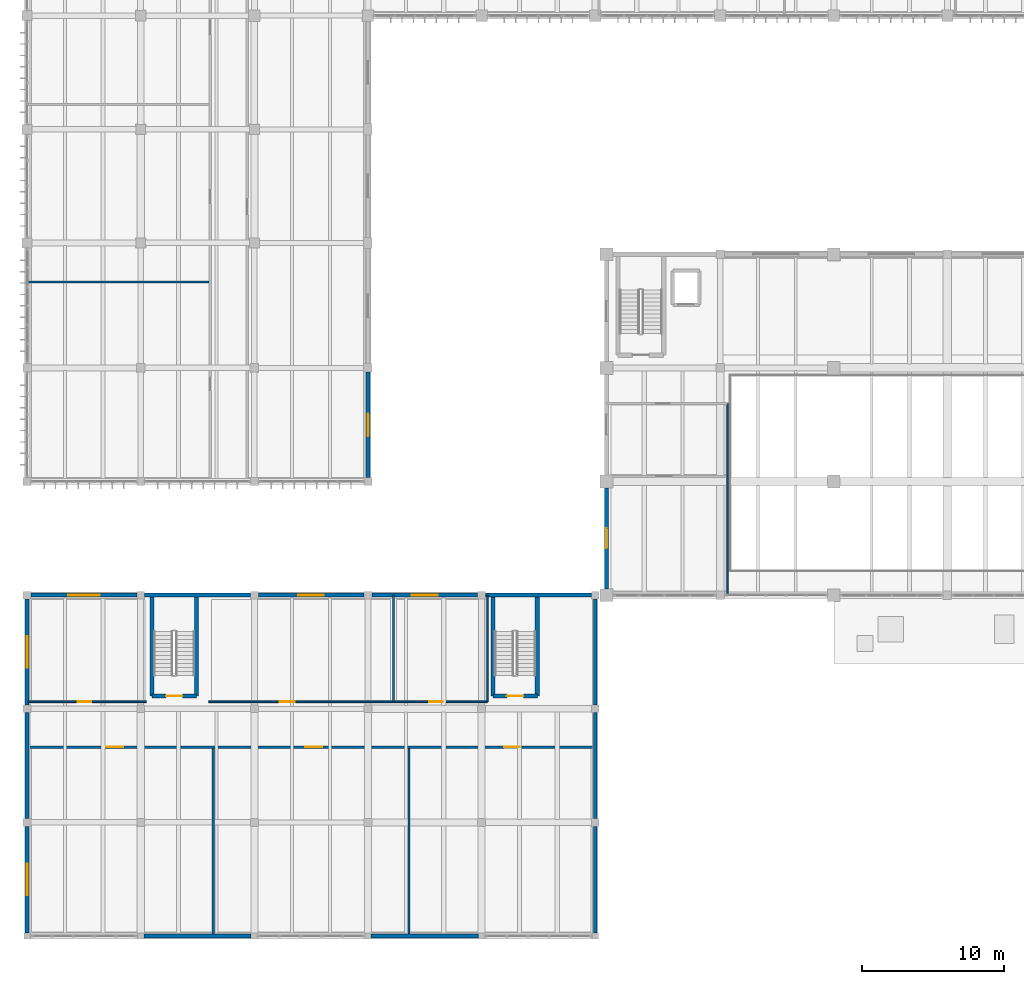
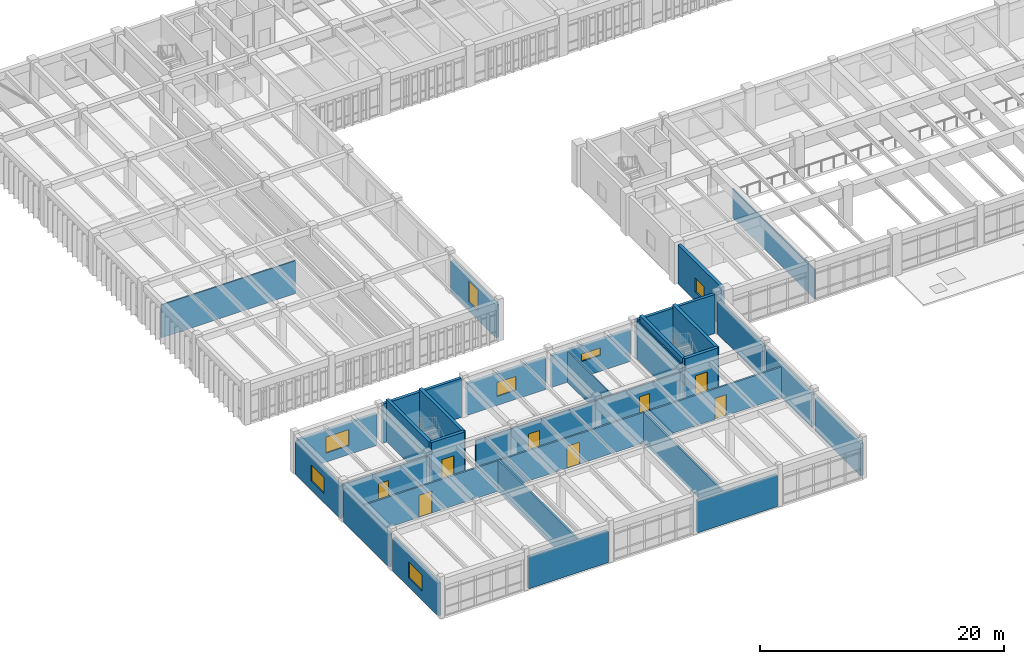
# One storey, part 42 of 67: 30 walls, 8 doors, 7 windows, 15 openings.
"""IFC4 building model written with IfcOpenShell, lengths in metres."""

from ifc_helpers import new_model, si_unit, direction, frame, frame_2d, origin, place, context, subcontext, project, spatial, rectangle, extrude, material, layer, layer_set, type_object, element, fill, save


model = new_model("IFC4")

# Units and contexts
model_context = context("Model", 3, precision=1e-05, world=origin(), true_north=direction((0.0, 1.0)))
body_context = subcontext(model_context, "Body", "Model", "MODEL_VIEW")
ifc_project = project(units=[si_unit("LENGTHUNIT", "METRE"), si_unit("AREAUNIT", "SQUARE_METRE"), si_unit("VOLUMEUNIT", "CUBIC_METRE"), si_unit("PLANEANGLEUNIT", "RADIAN"), si_unit("MASSUNIT", "GRAM", prefix="KILO")], contexts=[model_context])

# Site, building, storey
site_placement = place(None, origin())
site = spatial("IfcSite", under=ifc_project, at=site_placement, CompositionType="ELEMENT")
building_placement = place(site_placement, origin())
building = spatial("IfcBuilding", under=site, at=building_placement, Name="Tlaxcora Railside Police Headquarters", CompositionType="ELEMENT")
storey_placement = place(building_placement, frame((0.0, 0.0, 4.800048828125)))
storey = spatial("IfcBuildingStorey", under=building, at=storey_placement, Name="L01", CompositionType="ELEMENT", Elevation=4.800048828125)

# Wall
ifc_material_1 = material(Name="Gypsum acoustic partition board")
ifc_layer_1 = layer(ifc_material_1, 0.10791015625, Name="Gypsum acoustic partition board")
ifc_layer_set_1 = layer_set([ifc_layer_1], Name="Gypsum acoustic partition board")
wall_type_1 = type_object("IfcWallType", Name="Interior Partition Wall IW-19", PredefinedType="PARTITIONING", material=ifc_layer_set_1)
wall_1_placement = place(storey_placement, frame((37.60009765625, 28.5, 0.0), z_axis=(0.0, 0.0, 1.0), x_axis=(0.0, 1.0, 0.0)))
element("IfcWall", 1, at=wall_1_placement, inside=storey, type_object=wall_type_1, Name="V4 L01 interior partition 80", PredefinedType="PARTITIONING", context=body_context, shape_type="SweptSolid", body=[
    extrude(rectangle(XDim=7.5, YDim=0.10791015625, at=frame_2d((3.75, 0.0))), origin(), (0.0, 0.0, 1.0), 3.909912109375),
])

# Wall, openings, doors
ifc_layer_2 = layer(ifc_material_1, 0.1201171875, Name="Gypsum acoustic partition board")
ifc_layer_set_2 = layer_set([ifc_layer_2], Name="Gypsum acoustic partition board")
wall_type_2 = type_object("IfcWallType", Name="Interior Partition Wall IW-37", PredefinedType="PARTITIONING", material=ifc_layer_set_2)
wall_2_placement = place(storey_placement, frame((18.0, 28.5, 0.0), z_axis=(0.0, 0.0, 1.0), x_axis=(1.0, 0.0, 0.0)))
wall_2 = element("IfcWall", 2, at=wall_2_placement, inside=storey, type_object=wall_type_2, Name="V4 L01 interior partition 78", PredefinedType="PARTITIONING", context=body_context, shape_type="SweptSolid", body=[
    extrude(rectangle(XDim=19.60009765625, YDim=0.1201171875, at=frame_2d((9.800048828125, 0.0))), origin(), (0.0, 0.0, 1.0), 3.195068359375),
])
opening_1_placement = place(wall_2_placement, frame((5.0, 0.0, 0.0)))
opening_1 = element("IfcOpeningElement", 3, at=opening_1_placement, cuts=wall_2, Name="Opening D-L01-124", PredefinedType="OPENING", context=body_context, shape_type="SweptSolid", body=[
    extrude(rectangle(XDim=1.050048828125, YDim=2.10009765625, at=frame_2d((0.52490234375, 1.050048828125))), frame((0.0, 0.070068359375, 0.0), z_axis=(0.0, -1.0, 0.0), x_axis=(1.0, 0.0, 0.0)), (0.0, 0.0, 1.0), 0.14013671875),
])
opening_2_placement = place(wall_2_placement, frame((15.5, 0.0, 0.0)))
opening_2 = element("IfcOpeningElement", 4, at=opening_2_placement, cuts=wall_2, Name="Opening D-L01-125", PredefinedType="OPENING", context=body_context, shape_type="SweptSolid", body=[
    extrude(rectangle(XDim=0.949951171875, YDim=2.14990234375, at=frame_2d((0.47509765625, 1.074951171875))), frame((0.0, 0.070068359375, 0.0), z_axis=(0.0, -1.0, 0.0), x_axis=(1.0, 0.0, 0.0)), (0.0, 0.0, 1.0), 0.14013671875),
])
ifc_material_2 = material(Name="Steel ASTM A992 Grade 50", Category="steel")
door_type_1 = type_object("IfcDoorType", Name="Swing or Sliding Personnel Door ID-31", OperationType="NOTDEFINED", PredefinedType="DOOR", material=ifc_material_2)
door_1_placement = place(opening_2_placement, origin())
door_1 = element("IfcDoor", 5, at=door_1_placement, inside=storey, type_object=door_type_1, Name="V4 L01 door D-L01-125", OperationType="SINGLE_SWING_RIGHT", OverallHeight=2.14990234375, OverallWidth=0.949951171875, PredefinedType="DOOR", context=body_context, shape_type="SweptSolid", body=[
    extrude(rectangle(XDim=0.949951171875, YDim=2.14990234375, at=frame_2d((0.47509765625, 1.074951171875))), frame((0.0, 0.02490234375, 0.0), z_axis=(0.0, -1.0, 0.0), x_axis=(1.0, 0.0, 0.0)), (0.0, 0.0, 1.0), 0.050048828125),
])
fill(opening_2, door_1)
door_type_2 = type_object("IfcDoorType", Name="Swing or Sliding Personnel Door ID-52", OperationType="NOTDEFINED", PredefinedType="DOOR", material=ifc_material_2)
door_2_placement = place(opening_1_placement, origin())
door_2 = element("IfcDoor", 6, at=door_2_placement, inside=storey, type_object=door_type_2, Name="V4 L01 door D-L01-124", OperationType="SINGLE_SWING_LEFT", OverallHeight=2.10009765625, OverallWidth=1.050048828125, PredefinedType="DOOR", context=body_context, shape_type="SweptSolid", body=[
    extrude(rectangle(XDim=1.050048828125, YDim=2.10009765625, at=frame_2d((0.52490234375, 1.050048828125))), frame((0.0, 0.02490234375, 0.0), z_axis=(0.0, -1.0, 0.0), x_axis=(1.0, 0.0, 0.0)), (0.0, 0.0, 1.0), 0.050048828125),
])
fill(opening_1, door_2)

# Wall
wall_3_placement = place(storey_placement, frame((5.280029296875, 58.050048828125, 0.0), z_axis=(0.0, 0.0, 1.0), x_axis=(1.0, 0.0, 0.0)))
element("IfcWall", 7, at=wall_3_placement, inside=storey, type_object=wall_type_2, Name="V5 L01 interior partition 114", PredefinedType="PARTITIONING", context=body_context, shape_type="SweptSolid", body=[
    extrude(rectangle(XDim=12.719970703125, YDim=0.1201171875, at=frame_2d((6.35986328125, 0.0))), origin(), (0.0, 0.0, 1.0), 3.294921875),
])

# Wall, opening, door
ifc_layer_3 = layer(ifc_material_1, 0.1298828125, Name="Gypsum acoustic partition board")
ifc_layer_set_3 = layer_set([ifc_layer_3], Name="Gypsum acoustic partition board")
wall_type_3 = type_object("IfcWallType", Name="Interior Partition Wall IW-40", PredefinedType="PARTITIONING", material=ifc_layer_set_3)
wall_4_placement = place(storey_placement, frame((5.280029296875, 28.5, 0.0), z_axis=(0.0, 0.0, 1.0), x_axis=(1.0, 0.0, 0.0)))
wall_4 = element("IfcWall", 8, at=wall_4_placement, inside=storey, type_object=wall_type_3, Name="V4 L01 interior partition 77", PredefinedType="PARTITIONING", context=body_context, shape_type="SweptSolid", body=[
    extrude(rectangle(XDim=8.320068359375, YDim=0.1298828125, at=frame_2d((4.16015625, 0.0))), origin(), (0.0, 0.0, 1.0), 3.195068359375),
])
opening_3_placement = place(wall_4_placement, frame((3.5, 0.0, 0.0)))
opening_3 = element("IfcOpeningElement", 9, at=opening_3_placement, cuts=wall_4, Name="Opening D-L01-123", PredefinedType="OPENING", context=body_context, shape_type="SweptSolid", body=[
    extrude(rectangle(XDim=0.949951171875, YDim=2.10009765625, at=frame_2d((0.47509765625, 1.050048828125))), frame((0.0, 0.074951171875, 0.0), z_axis=(0.0, -1.0, 0.0), x_axis=(1.0, 0.0, 0.0)), (0.0, 0.0, 1.0), 0.14990234375),
])
door_type_3 = type_object("IfcDoorType", Name="Swing or Sliding Personnel Door ID-87", OperationType="NOTDEFINED", PredefinedType="DOOR", material=ifc_material_2)
door_3_placement = place(opening_3_placement, origin())
door_3 = element("IfcDoor", 10, at=door_3_placement, inside=storey, type_object=door_type_3, Name="V4 L01 door D-L01-123", OperationType="SINGLE_SWING_RIGHT", OverallHeight=2.10009765625, OverallWidth=0.949951171875, PredefinedType="DOOR", context=body_context, shape_type="SweptSolid", body=[
    extrude(rectangle(XDim=0.949951171875, YDim=2.10009765625, at=frame_2d((0.47509765625, 1.050048828125))), frame((0.0, 0.02490234375, 0.0), z_axis=(0.0, -1.0, 0.0), x_axis=(1.0, 0.0, 0.0)), (0.0, 0.0, 1.0), 0.050048828125),
])
fill(opening_3, door_3)

# Walls
ifc_layer_4 = layer(ifc_material_1, 0.10009765625, Name="Gypsum acoustic partition board")
ifc_layer_set_4 = layer_set([ifc_layer_4], Name="Gypsum acoustic partition board")
wall_type_4 = type_object("IfcWallType", Name="Interior Partition Wall IW-45", PredefinedType="PARTITIONING", material=ifc_layer_set_4)
wall_5_placement = place(storey_placement, frame((54.5, 36.0, 0.0), z_axis=(0.0, 0.0, 1.0), x_axis=(0.0, 1.0, 0.0)))
element("IfcWall", 11, at=wall_5_placement, inside=storey, type_object=wall_type_4, Name="V1 L01 interior partition 81", PredefinedType="PARTITIONING", context=body_context, shape_type="SweptSolid", body=[
    extrude(rectangle(XDim=13.5, YDim=0.10009765625, at=frame_2d((6.75, 0.0))), origin(), (0.0, 0.0, 1.0), 2.945068359375),
])
ifc_layer_5 = layer(ifc_material_1, 0.159912109375, Name="Gypsum acoustic partition board")
ifc_layer_set_5 = layer_set([ifc_layer_5], Name="Gypsum acoustic partition board")
wall_type_5 = type_object("IfcWallType", Name="Interior Partition Wall IW-73", PredefinedType="PARTITIONING", material=ifc_layer_set_5)
wall_6_placement = place(storey_placement, frame((18.304931640625, 12.080078125, 0.0), z_axis=(0.0, 0.0, 1.0), x_axis=(0.0, 1.0, 0.0)))
element("IfcWall", 12, at=wall_6_placement, inside=storey, type_object=wall_type_5, Name="V4 L01 interior partition 74", PredefinedType="PARTITIONING", context=body_context, shape_type="SweptSolid", body=[
    extrude(rectangle(XDim=13.119873046875, YDim=0.159912109375, at=frame_2d((6.56005859375, 0.0))), origin(), (0.0, 0.0, 1.0), 3.14501953125),
])
wall_7_placement = place(storey_placement, frame((32.094970703125, 12.080078125, 0.0), z_axis=(0.0, 0.0, 1.0), x_axis=(0.0, 1.0, 0.0)))
element("IfcWall", 13, at=wall_7_placement, inside=storey, type_object=wall_type_5, Name="V4 L01 interior partition 75", PredefinedType="PARTITIONING", context=body_context, shape_type="SweptSolid", body=[
    extrude(rectangle(XDim=13.119873046875, YDim=0.159912109375, at=frame_2d((6.56005859375, 0.0))), origin(), (0.0, 0.0, 1.0), 3.044921875),
])

# Wall, openings, doors
wall_8_placement = place(storey_placement, frame((5.280029296875, 25.300048828125, 0.0), z_axis=(0.0, 0.0, 1.0), x_axis=(1.0, 0.0, 0.0)))
wall_8 = element("IfcWall", 14, at=wall_8_placement, inside=storey, type_object=wall_type_5, Name="V4 L01 interior partition 76", PredefinedType="PARTITIONING", context=body_context, shape_type="SweptSolid", body=[
    extrude(rectangle(XDim=39.840087890625, YDim=0.159912109375, at=frame_2d((19.919921875, 0.0))), origin(), (0.0, 0.0, 1.0), 3.044921875),
])
opening_4_placement = place(wall_8_placement, frame((5.5, 0.0, 0.0)))
opening_4 = element("IfcOpeningElement", 15, at=opening_4_placement, cuts=wall_8, Name="Opening D-L01-120", PredefinedType="OPENING", context=body_context, shape_type="SweptSolid", body=[
    extrude(rectangle(XDim=1.199951171875, YDim=2.199951171875, at=frame_2d((0.60009765625, 1.10009765625))), frame((0.0, 0.08984375, 0.0), z_axis=(0.0, -1.0, 0.0), x_axis=(1.0, 0.0, 0.0)), (0.0, 0.0, 1.0), 0.179931640625),
])
opening_5_placement = place(wall_8_placement, frame((19.5, 0.0, 0.0)))
opening_5 = element("IfcOpeningElement", 16, at=opening_5_placement, cuts=wall_8, Name="Opening D-L01-121", PredefinedType="OPENING", context=body_context, shape_type="SweptSolid", body=[
    extrude(rectangle(XDim=1.199951171875, YDim=2.199951171875, at=frame_2d((0.60009765625, 1.10009765625))), frame((0.0, 0.08984375, 0.0), z_axis=(0.0, -1.0, 0.0), x_axis=(1.0, 0.0, 0.0)), (0.0, 0.0, 1.0), 0.179931640625),
])
opening_6_placement = place(wall_8_placement, frame((33.5, 0.0, 0.0)))
opening_6 = element("IfcOpeningElement", 17, at=opening_6_placement, cuts=wall_8, Name="Opening D-L01-122", PredefinedType="OPENING", context=body_context, shape_type="SweptSolid", body=[
    extrude(rectangle(XDim=1.10009765625, YDim=2.10009765625, at=frame_2d((0.550048828125, 1.050048828125))), frame((0.0, 0.08984375, 0.0), z_axis=(0.0, -1.0, 0.0), x_axis=(1.0, 0.0, 0.0)), (0.0, 0.0, 1.0), 0.179931640625),
])
door_type_4 = type_object("IfcDoorType", Name="Swing or Sliding Personnel Door ID-65", OperationType="NOTDEFINED", PredefinedType="DOOR", material=ifc_material_2)
door_4_placement = place(opening_4_placement, origin())
door_4 = element("IfcDoor", 18, at=door_4_placement, inside=storey, type_object=door_type_4, Name="V4 L01 door D-L01-120", OperationType="DOUBLE_DOOR_SINGLE_SWING", OverallHeight=2.199951171875, OverallWidth=1.199951171875, PredefinedType="DOOR", context=body_context, shape_type="SweptSolid", body=[
    extrude(rectangle(XDim=1.199951171875, YDim=2.199951171875, at=frame_2d((0.60009765625, 1.10009765625))), frame((0.0, 0.02490234375, 0.0), z_axis=(0.0, -1.0, 0.0), x_axis=(1.0, 0.0, 0.0)), (0.0, 0.0, 1.0), 0.050048828125),
])
fill(opening_4, door_4)
door_5_placement = place(opening_5_placement, origin())
door_5 = element("IfcDoor", 19, at=door_5_placement, inside=storey, type_object=door_type_4, Name="V4 L01 door D-L01-121", OperationType="DOUBLE_DOOR_SINGLE_SWING", OverallHeight=2.199951171875, OverallWidth=1.199951171875, PredefinedType="DOOR", context=body_context, shape_type="SweptSolid", body=[
    extrude(rectangle(XDim=1.199951171875, YDim=2.199951171875, at=frame_2d((0.60009765625, 1.10009765625))), frame((0.0, 0.02490234375, 0.0), z_axis=(0.0, -1.0, 0.0), x_axis=(1.0, 0.0, 0.0)), (0.0, 0.0, 1.0), 0.050048828125),
])
fill(opening_5, door_5)
door_type_5 = type_object("IfcDoorType", Name="Swing or Sliding Personnel Door ID-66", OperationType="NOTDEFINED", PredefinedType="DOOR", material=ifc_material_2)
door_6_placement = place(opening_6_placement, origin())
door_6 = element("IfcDoor", 20, at=door_6_placement, inside=storey, type_object=door_type_5, Name="V4 L01 door D-L01-122", OperationType="SINGLE_SWING_LEFT", OverallHeight=2.10009765625, OverallWidth=1.10009765625, PredefinedType="DOOR", context=body_context, shape_type="SweptSolid", body=[
    extrude(rectangle(XDim=1.10009765625, YDim=2.10009765625, at=frame_2d((0.550048828125, 1.050048828125))), frame((0.0, 0.02490234375, 0.0), z_axis=(0.0, -1.0, 0.0), x_axis=(1.0, 0.0, 0.0)), (0.0, 0.0, 1.0), 0.050048828125),
])
fill(opening_6, door_6)

# Wall
ifc_layer_6 = layer(ifc_material_1, 0.114990234375, Name="Gypsum acoustic partition board")
ifc_layer_set_6 = layer_set([ifc_layer_6], Name="Gypsum acoustic partition board")
wall_type_6 = type_object("IfcWallType", Name="Interior Partition Wall IW-87", PredefinedType="PARTITIONING", material=ifc_layer_set_6)
wall_9_placement = place(storey_placement, frame((31.0, 28.5, 0.0), z_axis=(0.0, 0.0, 1.0), x_axis=(0.0, 1.0, 0.0)))
element("IfcWall", 21, at=wall_9_placement, inside=storey, type_object=wall_type_6, Name="V4 L01 interior partition 79", PredefinedType="PARTITIONING", context=body_context, shape_type="SweptSolid", body=[
    extrude(rectangle(XDim=7.5, YDim=0.114990234375, at=frame_2d((3.75, 0.0))), origin(), (0.0, 0.0, 1.0), 3.14501953125),
])

# Wall, opening, door
ifc_material_3 = material(Name="Concrete C40/50", Category="concrete")
ifc_layer_7 = layer(ifc_material_3, 0.300048828125, Name="Concrete C40/50")
ifc_layer_set_7 = layer_set([ifc_layer_7], Name="Concrete C40/50")
wall_type_7 = type_object("IfcWallType", Name="Shear Core Wall IW-28", PredefinedType="SHEAR", material=ifc_layer_set_7)
wall_10_placement = place(storey_placement, frame((14.0, 28.89990234375, 0.0), z_axis=(0.0, 0.0, 1.0), x_axis=(1.0, 0.0, 0.0)))
wall_10 = element("IfcWall", 22, at=wall_10_placement, inside=storey, type_object=wall_type_7, Name="CORE-C6 L01 stair core wall S", PredefinedType="SHEAR", context=body_context, shape_type="SweptSolid", body=[
    extrude(rectangle(XDim=3.1201171875, YDim=0.300048828125, at=frame_2d((1.56005859375, 0.0))), origin(), (0.0, 0.0, 1.0), 4.199951171875),
])
opening_7_placement = place(wall_10_placement, frame((0.985107421875, 0.0, 0.0)))
opening_7 = element("IfcOpeningElement", 23, at=opening_7_placement, cuts=wall_10, Name="Opening SD-L01-042", PredefinedType="OPENING", context=body_context, shape_type="SweptSolid", body=[
    extrude(rectangle(XDim=1.14990234375, YDim=2.14990234375, at=frame_2d((0.574951171875, 1.074951171875))), frame((0.0, 0.16015625, 0.0), z_axis=(0.0, -1.0, 0.0), x_axis=(1.0, 0.0, 0.0)), (0.0, 0.0, 1.0), 0.320068359375),
])
door_type_6 = type_object("IfcDoorType", Name="Swing or Sliding Personnel Door ID-73", OperationType="NOTDEFINED", PredefinedType="DOOR", material=ifc_material_2)
door_7_placement = place(opening_7_placement, origin())
door_7 = element("IfcDoor", 24, at=door_7_placement, inside=storey, type_object=door_type_6, Name="Stair ST6 L01 enclosure fire door", OperationType="SINGLE_SWING_RIGHT", OverallHeight=2.14990234375, OverallWidth=1.14990234375, PredefinedType="DOOR", context=body_context, shape_type="SweptSolid", body=[
    extrude(rectangle(XDim=1.14990234375, YDim=2.14990234375, at=frame_2d((0.574951171875, 1.074951171875))), frame((0.0, 0.02490234375, 0.0), z_axis=(0.0, -1.0, 0.0), x_axis=(1.0, 0.0, 0.0)), (0.0, 0.0, 1.0), 0.050048828125),
])
fill(opening_7, door_7)

# Walls
for number, where, z_axis, x_axis, name in (
    (25, (17.1201171875, 28.89990234375, 0.0), (0.0, 0.0, 1.0), (0.0, 1.0, 0.0), "CORE-C6 L01 stair core wall E"),
    (26, (14.0, 36.0, 0.0), (0.0, 0.0, 1.0), (0.0, -1.0, 0.0), "CORE-C6 L01 stair core wall W"),
):
    element("IfcWall", number, at=place(storey_placement, frame(where, z_axis=z_axis, x_axis=x_axis)), inside=storey, type_object=wall_type_7, Name=name, PredefinedType="SHEAR", context=body_context, shape_type="SweptSolid", body=[
        extrude(rectangle(XDim=7.10009765625, YDim=0.300048828125, at=frame_2d((3.550048828125, 0.0))), origin(), (0.0, 0.0, 1.0), 4.199951171875),
    ])

# Wall, opening, door
wall_11_placement = place(storey_placement, frame((38.0, 28.89990234375, 0.0), z_axis=(0.0, 0.0, 1.0), x_axis=(1.0, 0.0, 0.0)))
wall_11 = element("IfcWall", 27, at=wall_11_placement, inside=storey, type_object=wall_type_7, Name="CORE-C6B L01 stair core wall S", PredefinedType="SHEAR", context=body_context, shape_type="SweptSolid", body=[
    extrude(rectangle(XDim=3.1201171875, YDim=0.300048828125, at=frame_2d((1.56005859375, 0.0))), origin(), (0.0, 0.0, 1.0), 4.199951171875),
])
opening_8_placement = place(wall_11_placement, frame((0.985107421875, 0.0, 0.0)))
opening_8 = element("IfcOpeningElement", 28, at=opening_8_placement, cuts=wall_11, Name="Opening SD-L01-045", PredefinedType="OPENING", context=body_context, shape_type="SweptSolid", body=[
    extrude(rectangle(XDim=1.14990234375, YDim=2.14990234375, at=frame_2d((0.574951171875, 1.074951171875))), frame((0.0, 0.16015625, 0.0), z_axis=(0.0, -1.0, 0.0), x_axis=(1.0, 0.0, 0.0)), (0.0, 0.0, 1.0), 0.320068359375),
])
door_8_placement = place(opening_8_placement, origin())
door_8 = element("IfcDoor", 29, at=door_8_placement, inside=storey, type_object=door_type_6, Name="Stair ST10 L01 enclosure fire door", OperationType="SINGLE_SWING_LEFT", OverallHeight=2.14990234375, OverallWidth=1.14990234375, PredefinedType="DOOR", context=body_context, shape_type="SweptSolid", body=[
    extrude(rectangle(XDim=1.14990234375, YDim=2.14990234375, at=frame_2d((0.574951171875, 1.074951171875))), frame((0.0, 0.02490234375, 0.0), z_axis=(0.0, -1.0, 0.0), x_axis=(1.0, 0.0, 0.0)), (0.0, 0.0, 1.0), 0.050048828125),
])
fill(opening_8, door_8)

# Walls
for number, where, z_axis, x_axis, name in (
    (30, (41.1201171875, 28.89990234375, 0.0), (0.0, 0.0, 1.0), (0.0, 1.0, 0.0), "CORE-C6B L01 stair core wall E"),
    (31, (38.0, 36.0, 0.0), (0.0, 0.0, 1.0), (0.0, -1.0, 0.0), "CORE-C6B L01 stair core wall W"),
):
    element("IfcWall", number, at=place(storey_placement, frame(where, z_axis=z_axis, x_axis=x_axis)), inside=storey, type_object=wall_type_7, Name=name, PredefinedType="SHEAR", context=body_context, shape_type="SweptSolid", body=[
        extrude(rectangle(XDim=7.10009765625, YDim=0.300048828125, at=frame_2d((3.550048828125, 0.0))), origin(), (0.0, 0.0, 1.0), 4.199951171875),
    ])

# Wall, opening, window
ifc_material_4 = material(Name="Pressed clay brick masonry", Category="masonry")
ifc_layer_8 = layer(ifc_material_4, 0.294921875, Name="Pressed clay brick masonry")
ifc_layer_set_8 = layer_set([ifc_layer_8], Name="Pressed clay brick masonry")
wall_type_8 = type_object("IfcWallType", Name="Structural Bearing Wall EW-74", PredefinedType="SOLIDWALL", material=ifc_layer_set_8)
wall_12_placement = place(storey_placement, frame((46.0, 43.550048828125, 0.0), z_axis=(0.0, 0.0, 1.0), x_axis=(0.0, -1.0, 0.0)))
wall_12 = element("IfcWall", 32, at=wall_12_placement, inside=storey, type_object=wall_type_8, Name="V1 L01 exterior wall 3.2", PredefinedType="SOLIDWALL", context=body_context, shape_type="SweptSolid", body=[
    extrude(rectangle(XDim=7.10009765625, YDim=0.294921875, at=frame_2d((3.550048828125, 0.0))), origin(), (0.0, 0.0, 1.0), 3.909912109375),
])
opening_9_placement = place(wall_12_placement, frame((2.85009765625, 0.0, 0.89990234375)))
opening_9 = element("IfcOpeningElement", 33, at=opening_9_placement, cuts=wall_12, Name="Opening WN-22", PredefinedType="OPENING", context=body_context, shape_type="SweptSolid", body=[
    extrude(rectangle(XDim=1.39990234375, YDim=1.39990234375, at=frame_2d((0.699951171875, 0.699951171875))), frame((0.0, 0.157470703125, 0.0), z_axis=(0.0, -1.0, 0.0), x_axis=(1.0, 0.0, 0.0)), (0.0, 0.0, 1.0), 0.31494140625),
])
ifc_material_5 = material(Name="Thermally broken low-E insulated glazing", Category="glass")
window_type_1 = type_object("IfcWindowType", Name="Exterior Framed or Circular Window WN-22", PartitioningType="SINGLE_PANEL", PredefinedType="WINDOW", material=ifc_material_5)
window_1_placement = place(opening_9_placement, origin())
window_1 = element("IfcWindow", 34, at=window_1_placement, inside=storey, type_object=window_type_1, Name="V1 L01 window 36", OverallHeight=1.39990234375, OverallWidth=1.39990234375, PartitioningType="SINGLE_PANEL", PredefinedType="WINDOW", context=body_context, shape_type="SweptSolid", body=[
    extrude(rectangle(XDim=1.39990234375, YDim=1.39990234375, at=frame_2d((0.699951171875, 0.699951171875))), frame((0.0, 0.030029296875, 0.0), z_axis=(0.0, -1.0, 0.0), x_axis=(1.0, 0.0, 0.0)), (0.0, 0.0, 1.0), 0.06005859375),
])
fill(opening_9, window_1)

wall_13_placement = place(storey_placement, frame((29.199951171875, 44.27490234375, 0.0), z_axis=(0.0, 0.0, 1.0), x_axis=(0.0, 1.0, 0.0)))
wall_13 = element("IfcWall", 35, at=wall_13_placement, inside=storey, type_object=wall_type_8, Name="V5 L01 exterior wall 1.0", PredefinedType="SOLIDWALL", context=body_context, shape_type="SweptSolid", body=[
    extrude(rectangle(XDim=7.425048828125, YDim=0.294921875, at=frame_2d((3.71240234375, 0.0))), origin(), (0.0, 0.0, 1.0), 3.260009765625),
])
opening_10_placement = place(wall_13_placement, frame((2.91259765625, 0.0, 0.89990234375)))
opening_10 = element("IfcOpeningElement", 36, at=opening_10_placement, cuts=wall_13, Name="Opening WN-54", PredefinedType="OPENING", context=body_context, shape_type="SweptSolid", body=[
    extrude(rectangle(XDim=1.60009765625, YDim=2.10009765625, at=frame_2d((0.800048828125, 1.050048828125))), frame((0.0, 0.157470703125, 0.0), z_axis=(0.0, -1.0, 0.0), x_axis=(1.0, 0.0, 0.0)), (0.0, 0.0, 1.0), 0.31494140625),
])
window_type_2 = type_object("IfcWindowType", Name="Exterior Framed or Circular Window WN-54", PartitioningType="SINGLE_PANEL", PredefinedType="WINDOW", material=ifc_material_5)
window_2_placement = place(opening_10_placement, origin())
window_2 = element("IfcWindow", 37, at=window_2_placement, inside=storey, type_object=window_type_2, Name="V5 L01 window 114", OverallHeight=2.10009765625, OverallWidth=1.60009765625, PartitioningType="SINGLE_PANEL", PredefinedType="WINDOW", context=body_context, shape_type="SweptSolid", body=[
    extrude(rectangle(XDim=1.60009765625, YDim=2.10009765625, at=frame_2d((0.800048828125, 1.050048828125))), frame((0.0, 0.030029296875, 0.0), z_axis=(0.0, -1.0, 0.0), x_axis=(1.0, 0.0, 0.0)), (0.0, 0.0, 1.0), 0.06005859375),
])
fill(opening_10, window_2)

# Walls
ifc_layer_9 = layer(ifc_material_4, 0.27490234375, Name="Pressed clay brick masonry")
ifc_layer_set_9 = layer_set([ifc_layer_9], Name="Pressed clay brick masonry")
wall_type_9 = type_object("IfcWallType", Name="Structural Bearing Wall EW-84", PredefinedType="SOLIDWALL", material=ifc_layer_set_9)
for number, where, z_axis, x_axis, name in (
    (38, (13.425048828125, 12.0, 0.0), (0.0, 0.0, 1.0), (1.0, 0.0, 0.0), "V4 L01 exterior wall 0.1"),
    (39, (29.425048828125, 12.0, 0.0), (0.0, 0.0, 1.0), (1.0, 0.0, 0.0), "V4 L01 exterior wall 0.3"),
):
    element("IfcWall", number, at=place(storey_placement, frame(where, z_axis=z_axis, x_axis=x_axis)), inside=storey, type_object=wall_type_9, Name=name, PredefinedType="SOLIDWALL", context=body_context, shape_type="SweptSolid", body=[
        extrude(rectangle(XDim=7.550048828125, YDim=0.27490234375, at=frame_2d((3.77490234375, 0.0))), origin(), (0.0, 0.0, 1.0), 3.159912109375),
    ])
wall_14_placement = place(storey_placement, frame((45.199951171875, 12.22509765625, 0.0), z_axis=(0.0, 0.0, 1.0), x_axis=(0.0, 1.0, 0.0)))
element("IfcWall", 40, at=wall_14_placement, inside=storey, type_object=wall_type_9, Name="V4 L01 exterior wall 1.0", PredefinedType="SOLIDWALL", context=body_context, shape_type="SweptSolid", body=[
    extrude(rectangle(XDim=7.5, YDim=0.27490234375, at=frame_2d((3.75, 0.0))), origin(), (0.0, 0.0, 1.0), 3.260009765625),
])
for number, where, z_axis, x_axis, name in (
    (41, (45.199951171875, 20.27490234375, 0.0), (0.0, 0.0, 1.0), (0.0, 1.0, 0.0), "V4 L01 exterior wall 1.1"),
    (42, (45.199951171875, 28.27490234375, 0.0), (0.0, 0.0, 1.0), (0.0, 1.0, 0.0), "V4 L01 exterior wall 1.2"),
):
    element("IfcWall", number, at=place(storey_placement, frame(where, z_axis=z_axis, x_axis=x_axis)), inside=storey, type_object=wall_type_9, Name=name, PredefinedType="SOLIDWALL", context=body_context, shape_type="SweptSolid", body=[
        extrude(rectangle(XDim=7.4501953125, YDim=0.27490234375, at=frame_2d((3.72509765625, 0.0))), origin(), (0.0, 0.0, 1.0), 3.260009765625),
    ])
wall_15_placement = place(storey_placement, frame((44.925048828125, 36.0, 0.0), z_axis=(0.0, 0.0, 1.0), x_axis=(-1.0, 0.0, 0.0)))
element("IfcWall", 43, at=wall_15_placement, inside=storey, type_object=wall_type_9, Name="V4 L01 exterior wall 2.0", PredefinedType="SOLIDWALL", context=body_context, shape_type="SweptSolid", body=[
    extrude(rectangle(XDim=7.449951171875, YDim=0.27490234375, at=frame_2d((3.72509765625, 0.0))), origin(), (0.0, 0.0, 1.0), 3.909912109375),
])

# Wall, opening, window
wall_16_placement = place(storey_placement, frame((36.925048828125, 36.0, 0.0), z_axis=(0.0, 0.0, 1.0), x_axis=(-1.0, 0.0, 0.0)))
wall_16 = element("IfcWall", 44, at=wall_16_placement, inside=storey, type_object=wall_type_9, Name="V4 L01 exterior wall 2.1", PredefinedType="SOLIDWALL", context=body_context, shape_type="SweptSolid", body=[
    extrude(rectangle(XDim=7.449951171875, YDim=0.27490234375, at=frame_2d((3.72509765625, 0.0))), origin(), (0.0, 0.0, 1.0), 3.159912109375),
])
opening_11_placement = place(wall_16_placement, frame((2.824951171875, 0.0, 1.60009765625)))
opening_11 = element("IfcOpeningElement", 45, at=opening_11_placement, cuts=wall_16, Name="Opening WN-40", PredefinedType="OPENING", context=body_context, shape_type="SweptSolid", body=[
    extrude(rectangle(XDim=1.800048828125, YDim=0.75, at=frame_2d((0.89990234375, 0.375))), frame((0.0, 0.1474609375, 0.0), z_axis=(0.0, -1.0, 0.0), x_axis=(1.0, 0.0, 0.0)), (0.0, 0.0, 1.0), 0.294921875),
])
window_type_3 = type_object("IfcWindowType", Name="Exterior Framed or Circular Window WN-40", PartitioningType="SINGLE_PANEL", PredefinedType="WINDOW", material=ifc_material_5)
window_3_placement = place(opening_11_placement, origin())
window_3 = element("IfcWindow", 46, at=window_3_placement, inside=storey, type_object=window_type_3, Name="V4 L01 window 77", OverallHeight=0.75, OverallWidth=1.800048828125, PartitioningType="SINGLE_PANEL", PredefinedType="WINDOW", context=body_context, shape_type="SweptSolid", body=[
    extrude(rectangle(XDim=1.800048828125, YDim=0.75, at=frame_2d((0.89990234375, 0.375))), frame((0.0, 0.030029296875, 0.0), z_axis=(0.0, -1.0, 0.0), x_axis=(1.0, 0.0, 0.0)), (0.0, 0.0, 1.0), 0.06005859375),
])
fill(opening_11, window_3)

wall_17_placement = place(storey_placement, frame((28.925048828125, 36.0, 0.0), z_axis=(0.0, 0.0, 1.0), x_axis=(-1.0, 0.0, 0.0)))
wall_17 = element("IfcWall", 47, at=wall_17_placement, inside=storey, type_object=wall_type_9, Name="V4 L01 exterior wall 2.2", PredefinedType="SOLIDWALL", context=body_context, shape_type="SweptSolid", body=[
    extrude(rectangle(XDim=7.449951171875, YDim=0.27490234375, at=frame_2d((3.72509765625, 0.0))), origin(), (0.0, 0.0, 1.0), 3.159912109375),
])
opening_12_placement = place(wall_17_placement, frame((2.824951171875, 0.0, 0.89990234375)))
opening_12 = element("IfcOpeningElement", 48, at=opening_12_placement, cuts=wall_17, Name="Opening WN-70", PredefinedType="OPENING", context=body_context, shape_type="SweptSolid", body=[
    extrude(rectangle(XDim=1.800048828125, YDim=1.39990234375, at=frame_2d((0.89990234375, 0.699951171875))), frame((0.0, 0.1474609375, 0.0), z_axis=(0.0, -1.0, 0.0), x_axis=(1.0, 0.0, 0.0)), (0.0, 0.0, 1.0), 0.294921875),
])
window_type_4 = type_object("IfcWindowType", Name="Exterior Framed or Circular Window WN-70", PartitioningType="SINGLE_PANEL", PredefinedType="WINDOW", material=ifc_material_5)
window_4_placement = place(opening_12_placement, origin())
window_4 = element("IfcWindow", 49, at=window_4_placement, inside=storey, type_object=window_type_4, Name="V4 L01 window 78", OverallHeight=1.39990234375, OverallWidth=1.800048828125, PartitioningType="SINGLE_PANEL", PredefinedType="WINDOW", context=body_context, shape_type="SweptSolid", body=[
    extrude(rectangle(XDim=1.800048828125, YDim=1.39990234375, at=frame_2d((0.89990234375, 0.699951171875))), frame((0.0, 0.030029296875, 0.0), z_axis=(0.0, -1.0, 0.0), x_axis=(1.0, 0.0, 0.0)), (0.0, 0.0, 1.0), 0.06005859375),
])
fill(opening_12, window_4)

# Wall
wall_18_placement = place(storey_placement, frame((20.925048828125, 36.0, 0.0), z_axis=(0.0, 0.0, 1.0), x_axis=(-1.0, 0.0, 0.0)))
element("IfcWall", 50, at=wall_18_placement, inside=storey, type_object=wall_type_9, Name="V4 L01 exterior wall 2.3", PredefinedType="SOLIDWALL", context=body_context, shape_type="SweptSolid", body=[
    extrude(rectangle(XDim=7.449951171875, YDim=0.27490234375, at=frame_2d((3.72509765625, 0.0))), origin(), (0.0, 0.0, 1.0), 3.909912109375),
])

# Wall, opening, window
wall_19_placement = place(storey_placement, frame((12.925048828125, 36.0, 0.0), z_axis=(0.0, 0.0, 1.0), x_axis=(-1.0, 0.0, 0.0)))
wall_19 = element("IfcWall", 51, at=wall_19_placement, inside=storey, type_object=wall_type_9, Name="V4 L01 exterior wall 2.4", PredefinedType="SOLIDWALL", context=body_context, shape_type="SweptSolid", body=[
    extrude(rectangle(XDim=7.449951171875, YDim=0.27490234375, at=frame_2d((3.72509765625, 0.0))), origin(), (0.0, 0.0, 1.0), 3.159912109375),
])
opening_13_placement = place(wall_19_placement, frame((2.625, 0.0, 0.89990234375)))
opening_13 = element("IfcOpeningElement", 52, at=opening_13_placement, cuts=wall_19, Name="Opening WN-57", PredefinedType="OPENING", context=body_context, shape_type="SweptSolid", body=[
    extrude(rectangle(XDim=2.199951171875, YDim=1.60009765625, at=frame_2d((1.10009765625, 0.800048828125))), frame((0.0, 0.1474609375, 0.0), z_axis=(0.0, -1.0, 0.0), x_axis=(1.0, 0.0, 0.0)), (0.0, 0.0, 1.0), 0.294921875),
])
window_type_5 = type_object("IfcWindowType", Name="Exterior Framed or Circular Window WN-57", PartitioningType="SINGLE_PANEL", PredefinedType="WINDOW", material=ifc_material_5)
window_5_placement = place(opening_13_placement, origin())
window_5 = element("IfcWindow", 53, at=window_5_placement, inside=storey, type_object=window_type_5, Name="V4 L01 window 79", OverallHeight=1.60009765625, OverallWidth=2.199951171875, PartitioningType="SINGLE_PANEL", PredefinedType="WINDOW", context=body_context, shape_type="SweptSolid", body=[
    extrude(rectangle(XDim=2.199951171875, YDim=1.60009765625, at=frame_2d((1.10009765625, 0.800048828125))), frame((0.0, 0.030029296875, 0.0), z_axis=(0.0, -1.0, 0.0), x_axis=(1.0, 0.0, 0.0)), (0.0, 0.0, 1.0), 0.06005859375),
])
fill(opening_13, window_5)

wall_20_placement = place(storey_placement, frame((5.199951171875, 35.72509765625, 0.0), z_axis=(0.0, 0.0, 1.0), x_axis=(0.0, -1.0, 0.0)))
wall_20 = element("IfcWall", 54, at=wall_20_placement, inside=storey, type_object=wall_type_9, Name="V4 L01 exterior wall 3.0", PredefinedType="SOLIDWALL", context=body_context, shape_type="SweptSolid", body=[
    extrude(rectangle(XDim=7.4501953125, YDim=0.27490234375, at=frame_2d((3.72509765625, 0.0))), origin(), (0.0, 0.0, 1.0), 3.260009765625),
])
opening_14_placement = place(wall_20_placement, frame((2.625, 0.0, 0.89990234375)))
opening_14 = element("IfcOpeningElement", 55, at=opening_14_placement, cuts=wall_20, Name="Opening WN-57", PredefinedType="OPENING", context=body_context, shape_type="SweptSolid", body=[
    extrude(rectangle(XDim=2.199951171875, YDim=1.60009765625, at=frame_2d((1.10009765625, 0.800048828125))), frame((0.0, 0.1474609375, 0.0), z_axis=(0.0, -1.0, 0.0), x_axis=(1.0, 0.0, 0.0)), (0.0, 0.0, 1.0), 0.294921875),
])
window_6_placement = place(opening_14_placement, origin())
window_6 = element("IfcWindow", 56, at=window_6_placement, inside=storey, type_object=window_type_5, Name="V4 L01 window 80", OverallHeight=1.60009765625, OverallWidth=2.199951171875, PartitioningType="SINGLE_PANEL", PredefinedType="WINDOW", context=body_context, shape_type="SweptSolid", body=[
    extrude(rectangle(XDim=2.199951171875, YDim=1.60009765625, at=frame_2d((1.10009765625, 0.800048828125))), frame((0.0, 0.030029296875, 0.0), z_axis=(0.0, -1.0, 0.0), x_axis=(1.0, 0.0, 0.0)), (0.0, 0.0, 1.0), 0.06005859375),
])
fill(opening_14, window_6)

# Wall
wall_21_placement = place(storey_placement, frame((5.199951171875, 27.72509765625, 0.0), z_axis=(0.0, 0.0, 1.0), x_axis=(0.0, -1.0, 0.0)))
element("IfcWall", 57, at=wall_21_placement, inside=storey, type_object=wall_type_9, Name="V4 L01 exterior wall 3.1", PredefinedType="SOLIDWALL", context=body_context, shape_type="SweptSolid", body=[
    extrude(rectangle(XDim=7.4501953125, YDim=0.27490234375, at=frame_2d((3.72509765625, 0.0))), origin(), (0.0, 0.0, 1.0), 3.260009765625),
])

# Wall, opening, window
wall_22_placement = place(storey_placement, frame((5.199951171875, 19.72509765625, 0.0), z_axis=(0.0, 0.0, 1.0), x_axis=(0.0, -1.0, 0.0)))
wall_22 = element("IfcWall", 58, at=wall_22_placement, inside=storey, type_object=wall_type_9, Name="V4 L01 exterior wall 3.2", PredefinedType="SOLIDWALL", context=body_context, shape_type="SweptSolid", body=[
    extrude(rectangle(XDim=7.5, YDim=0.27490234375, at=frame_2d((3.75, 0.0))), origin(), (0.0, 0.0, 1.0), 3.260009765625),
])
opening_15_placement = place(wall_22_placement, frame((2.64990234375, 0.0, 0.89990234375)))
opening_15 = element("IfcOpeningElement", 59, at=opening_15_placement, cuts=wall_22, Name="Opening WN-57", PredefinedType="OPENING", context=body_context, shape_type="SweptSolid", body=[
    extrude(rectangle(XDim=2.199951171875, YDim=1.60009765625, at=frame_2d((1.10009765625, 0.800048828125))), frame((0.0, 0.1474609375, 0.0), z_axis=(0.0, -1.0, 0.0), x_axis=(1.0, 0.0, 0.0)), (0.0, 0.0, 1.0), 0.294921875),
])
window_7_placement = place(opening_15_placement, origin())
window_7 = element("IfcWindow", 60, at=window_7_placement, inside=storey, type_object=window_type_5, Name="V4 L01 window 81", OverallHeight=1.60009765625, OverallWidth=2.199951171875, PartitioningType="SINGLE_PANEL", PredefinedType="WINDOW", context=body_context, shape_type="SweptSolid", body=[
    extrude(rectangle(XDim=2.199951171875, YDim=1.60009765625, at=frame_2d((1.10009765625, 0.800048828125))), frame((0.0, 0.030029296875, 0.0), z_axis=(0.0, -1.0, 0.0), x_axis=(1.0, 0.0, 0.0)), (0.0, 0.0, 1.0), 0.06005859375),
])
fill(opening_15, window_7)

save(model, "model.ifc")
